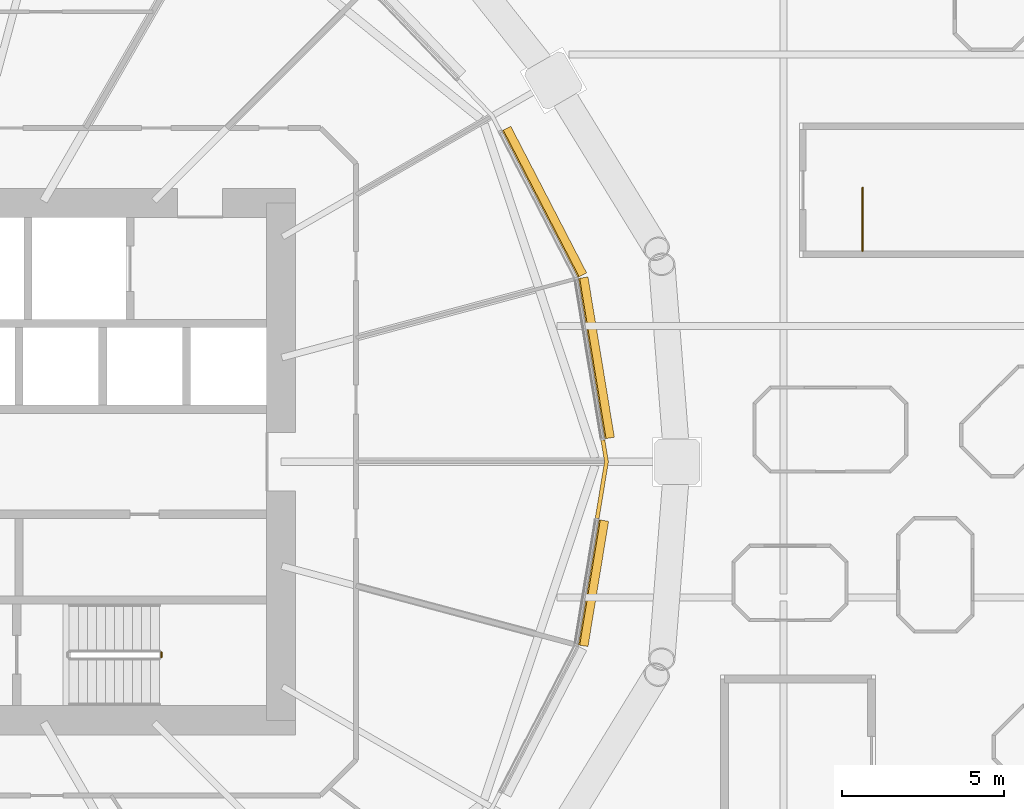
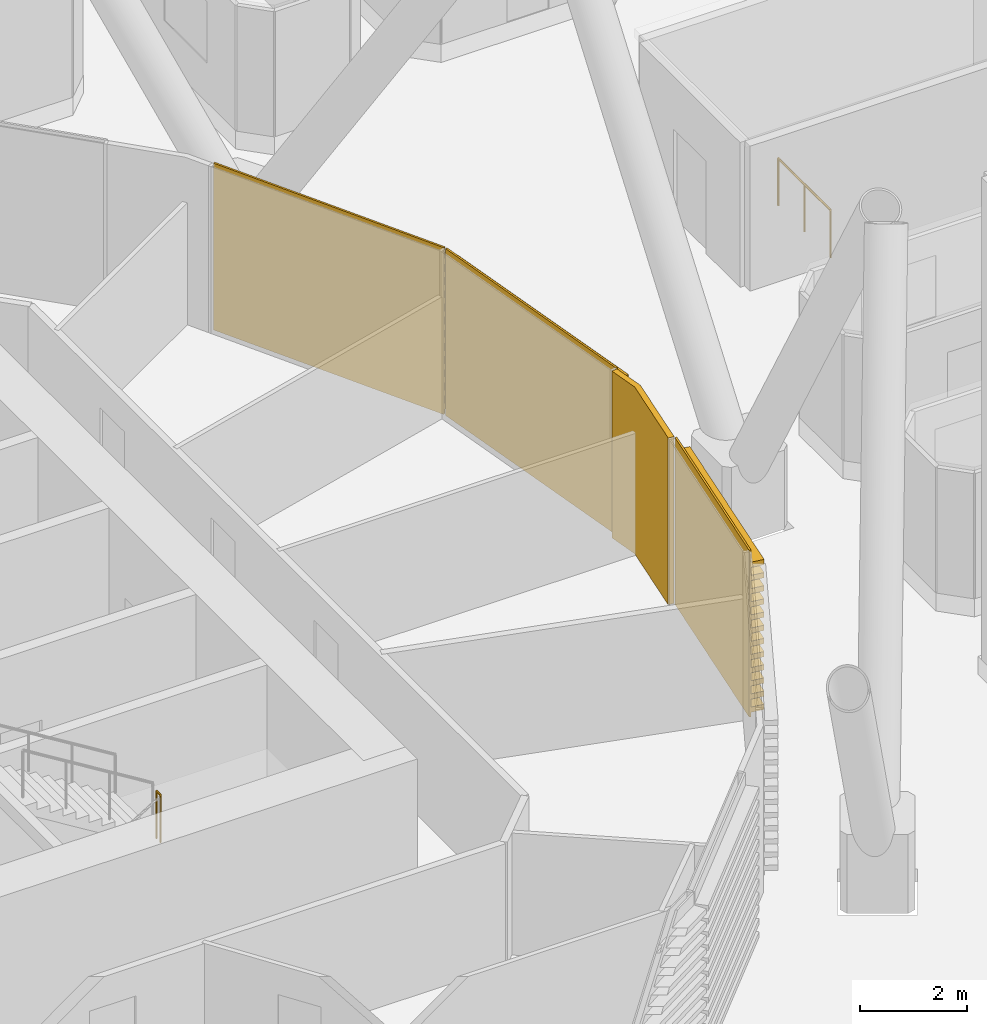
# One storey, part 39 of 47: 4 coverings, 2 railings.
"""IFC4 building model written with IfcOpenShell, lengths in metres."""

from ifc_helpers import new_model, si_unit, direction, frame, origin, origin_2d, place, context, subcontext, project, spatial, polyline, circle, outline, extrude, material, layer, layer_set, material_profile, profile_set, type_object, element, save


model = new_model("IFC4")

# Units and contexts
model_context = context("Model", 3, precision=1e-05, world=origin(), true_north=direction((0.0, 1.0)))
body_context = subcontext(model_context, "Body", "Model", "MODEL_VIEW")
ifc_project = project(units=[si_unit("LENGTHUNIT", "METRE"), si_unit("AREAUNIT", "SQUARE_METRE"), si_unit("VOLUMEUNIT", "CUBIC_METRE"), si_unit("PLANEANGLEUNIT", "RADIAN"), si_unit("MASSUNIT", "GRAM", prefix="KILO")], contexts=[model_context])

# Site, building, storey
site_placement = place(None, origin())
site = spatial("IfcSite", under=ifc_project, at=site_placement, CompositionType="ELEMENT")
building_placement = place(site_placement, origin())
building = spatial("IfcBuilding", under=site, at=building_placement, Name="Rimbun Link Towers", CompositionType="ELEMENT")
storey_placement = place(building_placement, frame((0.0, 0.0, 30.0)))
storey = spatial("IfcBuildingStorey", under=building, at=storey_placement, Name="L06", CompositionType="ELEMENT", Elevation=30.0)

# Covering
ifc_material_1 = material(Name="Terracotta", Category="masonry")
ifc_layer = layer(ifc_material_1, 0.1201171875)
ifc_layer_set = layer_set([ifc_layer], Name="LINK PIER terracotta cladding 120")
covering_type_1 = type_object("IfcCoveringType", Name="LINK PIER terracotta cladding 120", PredefinedType="CLADDING", material=ifc_layer_set)
covering_1_placement = place(storey_placement, origin())
element("IfcCovering", 1, at=covering_1_placement, inside=storey, type_object=covering_type_1, Name="LINK PIER cladding", PredefinedType="CLADDING", context=body_context, shape_type="SweptSolid", body=[
    extrude(outline(polyline([(-9.845947265625, 0.6611328125), (-9.7373046875, 0.0), (-10.0244140625, -1.74658203125), (-9.906005859375, -1.76611328125), (-9.61572265625, 0.0), (-9.7275390625, 0.6806640625), (-9.845947265625, 0.6611328125)])), origin(), (0.0, 0.0, 1.0), 3.800048828125),
])

# Railings
ifc_material_2 = material(Name="Stainless steel grade 316", Category="steel")
railing_type = type_object("IfcRailingType", Name="Stair guard", PredefinedType="GUARDRAIL", material=ifc_material_2)
railing_1_placement = place(storey_placement, frame((-23.449951171875, -6.050048828125, 1.89990234375)))
element("IfcRailing", 2, at=railing_1_placement, inside=storey, type_object=railing_type, Name="L06 ST2 stair guard 2", PredefinedType="GUARDRAIL", context=body_context, shape_type="SweptSolid", body=[
    extrude(circle(Radius=0.02392578125, at=origin_2d()), frame((0.0, 0.0, 1.076171875), z_axis=(0.0, 1.0, 0.0), x_axis=(-1.0, 0.0, 0.0)), (0.0, 0.0, 1.0), 0.150146484375),
    extrude(circle(Radius=0.02099609375, at=origin_2d()), origin(), (0.0, 0.0, 1.0), 1.052001953125),
    extrude(circle(Radius=0.02099609375, at=origin_2d()), frame((0.0, 0.150146484375, 0.0)), (0.0, 0.0, 1.0), 1.052001953125),
])
railing_2_placement = place(storey_placement, frame((-1.75, 6.52490234375, 0.0)))
element("IfcRailing", 3, at=railing_2_placement, inside=storey, type_object=railing_type, Name="L06 PS4 top well guard 1", PredefinedType="GUARDRAIL", context=body_context, shape_type="SweptSolid", body=[
    extrude(circle(Radius=0.02392578125, at=origin_2d()), frame((0.0, 0.0, 1.076171875), z_axis=(0.0, 1.0, 0.0), x_axis=(-1.0, 0.0, 0.0)), (0.0, 0.0, 1.0), 1.9501953125),
    extrude(circle(Radius=0.02099609375, at=origin_2d()), origin(), (0.0, 0.0, 1.0), 1.052001953125),
    extrude(circle(Radius=0.02099609375, at=origin_2d()), frame((0.0, 0.97509765625, 0.0)), (0.0, 0.0, 1.0), 1.052001953125),
    extrude(circle(Radius=0.02099609375, at=origin_2d()), frame((0.0, 1.9501953125, 0.0)), (0.0, 0.0, 1.0), 1.052001953125),
])

# Coverings
ifc_material_3 = material(Name="Terracotta", Category="masonry")
ifc_material_profile = material_profile(ifc_material_3, outline(polyline([(0.123046875, 0.0), (0.1630859375, 0.0), (0.1630859375, 0.10009765625), (0.423095703125, 0.10009765625), (0.423095703125, 0.219970703125), (0.1630859375, 0.219970703125), (0.1630859375, 0.39990234375), (0.423095703125, 0.39990234375), (0.423095703125, 0.52001953125), (0.1630859375, 0.52001953125), (0.1630859375, 0.699951171875), (0.423095703125, 0.699951171875), (0.423095703125, 0.820068359375), (0.1630859375, 0.820068359375), (0.1630859375, 1.0), (0.423095703125, 1.0), (0.423095703125, 1.1201171875), (0.1630859375, 1.1201171875), (0.1630859375, 1.300048828125), (0.423095703125, 1.300048828125), (0.423095703125, 1.419921875), (0.1630859375, 1.419921875), (0.1630859375, 1.60009765625), (0.423095703125, 1.60009765625), (0.423095703125, 1.719970703125), (0.1630859375, 1.719970703125), (0.1630859375, 1.89990234375), (0.423095703125, 1.89990234375), (0.423095703125, 2.02001953125), (0.1630859375, 2.02001953125), (0.1630859375, 2.199951171875), (0.423095703125, 2.199951171875), (0.423095703125, 2.320068359375), (0.1630859375, 2.320068359375), (0.1630859375, 2.5), (0.423095703125, 2.5), (0.423095703125, 2.6201171875), (0.1630859375, 2.6201171875), (0.1630859375, 2.800048828125), (0.423095703125, 2.800048828125), (0.423095703125, 2.919921875), (0.1630859375, 2.919921875), (0.1630859375, 3.10009765625), (0.423095703125, 3.10009765625), (0.423095703125, 3.219970703125), (0.1630859375, 3.219970703125), (0.1630859375, 3.39990234375), (0.423095703125, 3.39990234375), (0.423095703125, 3.52001953125), (0.1630859375, 3.52001953125), (0.1630859375, 3.800048828125), (0.123046875, 3.800048828125), (0.123046875, 0.0)])), Name="BAGUETTE 120X300")
ifc_profile_set = profile_set([ifc_material_profile], Name="Terracotta")
covering_type_2 = type_object("IfcCoveringType", Name="TERRACOTTA BAGUETTE 120X300 H3800", PredefinedType="CLADDING", material=ifc_profile_set)
covering_2_placement = place(storey_placement, frame((-10.666259765625, 5.6494140625, 0.0), z_axis=(0.162263623648, -0.986747443088, 0.0), x_axis=(0.986747443088, 0.162263623648, 0.0)))
element("IfcCovering", 4, at=covering_2_placement, inside=storey, type_object=covering_type_2, Name="TERRACOTTA BAGUETTE", PredefinedType="CLADDING", context=body_context, shape_type="SweptSolid", body=[
    extrude(outline(polyline([(0.123046875, 0.0), (0.1630859375, 0.0), (0.1630859375, 0.10009765625), (0.423095703125, 0.10009765625), (0.423095703125, 0.219970703125), (0.1630859375, 0.219970703125), (0.1630859375, 0.39990234375), (0.423095703125, 0.39990234375), (0.423095703125, 0.52001953125), (0.1630859375, 0.52001953125), (0.1630859375, 0.699951171875), (0.423095703125, 0.699951171875), (0.423095703125, 0.820068359375), (0.1630859375, 0.820068359375), (0.1630859375, 1.0), (0.423095703125, 1.0), (0.423095703125, 1.1201171875), (0.1630859375, 1.1201171875), (0.1630859375, 1.300048828125), (0.423095703125, 1.300048828125), (0.423095703125, 1.419921875), (0.1630859375, 1.419921875), (0.1630859375, 1.60009765625), (0.423095703125, 1.60009765625), (0.423095703125, 1.719970703125), (0.1630859375, 1.719970703125), (0.1630859375, 1.89990234375), (0.423095703125, 1.89990234375), (0.423095703125, 2.02001953125), (0.1630859375, 2.02001953125), (0.1630859375, 2.199951171875), (0.423095703125, 2.199951171875), (0.423095703125, 2.320068359375), (0.1630859375, 2.320068359375), (0.1630859375, 2.5), (0.423095703125, 2.5), (0.423095703125, 2.6201171875), (0.1630859375, 2.6201171875), (0.1630859375, 2.800048828125), (0.423095703125, 2.800048828125), (0.423095703125, 2.919921875), (0.1630859375, 2.919921875), (0.1630859375, 3.10009765625), (0.423095703125, 3.10009765625), (0.423095703125, 3.219970703125), (0.1630859375, 3.219970703125), (0.1630859375, 3.39990234375), (0.423095703125, 3.39990234375), (0.423095703125, 3.52001953125), (0.1630859375, 3.52001953125), (0.1630859375, 3.800048828125), (0.123046875, 3.800048828125), (0.123046875, 0.0)])), origin(), (0.0, 0.0, 1.0), 5.025390625),
])
covering_3_placement = place(storey_placement, frame((-13.012451171875, 10.183837890625, 0.0), z_axis=(0.459546500768, -0.888153710589, 0.0), x_axis=(0.888153710589, 0.459546500768, 0.0)))
element("IfcCovering", 5, at=covering_3_placement, inside=storey, type_object=covering_type_2, Name="TERRACOTTA BAGUETTE", PredefinedType="CLADDING", context=body_context, shape_type="SweptSolid", body=[
    extrude(outline(polyline([(0.123046875, 0.0), (0.1630859375, 0.0), (0.1630859375, 0.10009765625), (0.423095703125, 0.10009765625), (0.423095703125, 0.219970703125), (0.1630859375, 0.219970703125), (0.1630859375, 0.39990234375), (0.423095703125, 0.39990234375), (0.423095703125, 0.52001953125), (0.1630859375, 0.52001953125), (0.1630859375, 0.699951171875), (0.423095703125, 0.699951171875), (0.423095703125, 0.820068359375), (0.1630859375, 0.820068359375), (0.1630859375, 1.0), (0.423095703125, 1.0), (0.423095703125, 1.1201171875), (0.1630859375, 1.1201171875), (0.1630859375, 1.300048828125), (0.423095703125, 1.300048828125), (0.423095703125, 1.419921875), (0.1630859375, 1.419921875), (0.1630859375, 1.60009765625), (0.423095703125, 1.60009765625), (0.423095703125, 1.719970703125), (0.1630859375, 1.719970703125), (0.1630859375, 1.89990234375), (0.423095703125, 1.89990234375), (0.423095703125, 2.02001953125), (0.1630859375, 2.02001953125), (0.1630859375, 2.199951171875), (0.423095703125, 2.199951171875), (0.423095703125, 2.320068359375), (0.1630859375, 2.320068359375), (0.1630859375, 2.5), (0.423095703125, 2.5), (0.423095703125, 2.6201171875), (0.1630859375, 2.6201171875), (0.1630859375, 2.800048828125), (0.423095703125, 2.800048828125), (0.423095703125, 2.919921875), (0.1630859375, 2.919921875), (0.1630859375, 3.10009765625), (0.423095703125, 3.10009765625), (0.423095703125, 3.219970703125), (0.1630859375, 3.219970703125), (0.1630859375, 3.39990234375), (0.423095703125, 3.39990234375), (0.423095703125, 3.52001953125), (0.1630859375, 3.52001953125), (0.1630859375, 3.800048828125), (0.123046875, 3.800048828125), (0.123046875, 0.0)])), origin(), (0.0, 0.0, 1.0), 5.10546875),
])
covering_4_placement = place(storey_placement, frame((-10.029296875, -1.776123046875, 0.0), z_axis=(-0.162270478291, -0.986746315866, 0.0), x_axis=(0.986746315866, -0.162270478291, 0.0)))
element("IfcCovering", 6, at=covering_4_placement, inside=storey, type_object=covering_type_2, Name="TERRACOTTA BAGUETTE", PredefinedType="CLADDING", context=body_context, shape_type="SweptSolid", body=[
    extrude(outline(polyline([(0.123046875, 0.0), (0.1630859375, 0.0), (0.1630859375, 0.10009765625), (0.423095703125, 0.10009765625), (0.423095703125, 0.219970703125), (0.1630859375, 0.219970703125), (0.1630859375, 0.39990234375), (0.423095703125, 0.39990234375), (0.423095703125, 0.52001953125), (0.1630859375, 0.52001953125), (0.1630859375, 0.699951171875), (0.423095703125, 0.699951171875), (0.423095703125, 0.820068359375), (0.1630859375, 0.820068359375), (0.1630859375, 1.0), (0.423095703125, 1.0), (0.423095703125, 1.1201171875), (0.1630859375, 1.1201171875), (0.1630859375, 1.300048828125), (0.423095703125, 1.300048828125), (0.423095703125, 1.419921875), (0.1630859375, 1.419921875), (0.1630859375, 1.60009765625), (0.423095703125, 1.60009765625), (0.423095703125, 1.719970703125), (0.1630859375, 1.719970703125), (0.1630859375, 1.89990234375), (0.423095703125, 1.89990234375), (0.423095703125, 2.02001953125), (0.1630859375, 2.02001953125), (0.1630859375, 2.199951171875), (0.423095703125, 2.199951171875), (0.423095703125, 2.320068359375), (0.1630859375, 2.320068359375), (0.1630859375, 2.5), (0.423095703125, 2.5), (0.423095703125, 2.6201171875), (0.1630859375, 2.6201171875), (0.1630859375, 2.800048828125), (0.423095703125, 2.800048828125), (0.423095703125, 2.919921875), (0.1630859375, 2.919921875), (0.1630859375, 3.10009765625), (0.423095703125, 3.10009765625), (0.423095703125, 3.219970703125), (0.1630859375, 3.219970703125), (0.1630859375, 3.39990234375), (0.423095703125, 3.39990234375), (0.423095703125, 3.52001953125), (0.1630859375, 3.52001953125), (0.1630859375, 3.800048828125), (0.123046875, 3.800048828125), (0.123046875, 0.0)])), origin(), (0.0, 0.0, 1.0), 3.92529296875),
])

save(model, "model.ifc")
